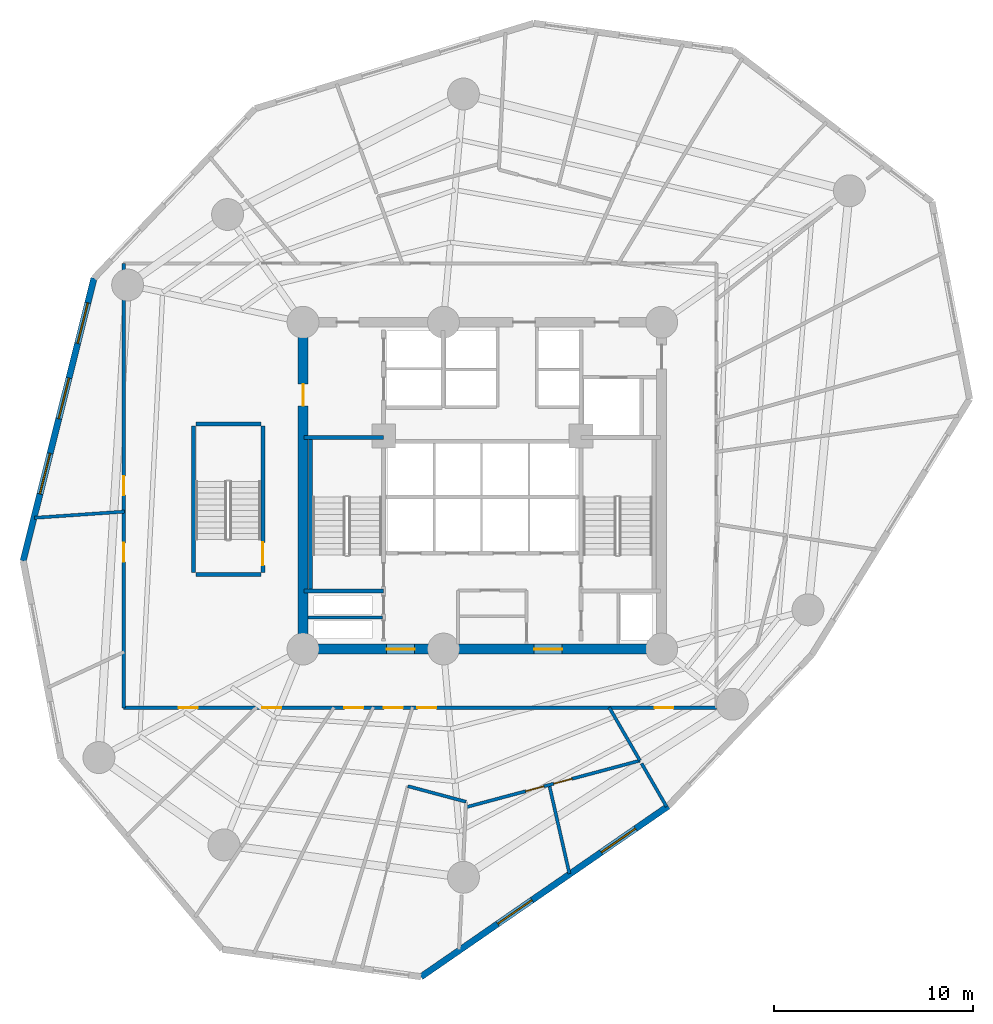
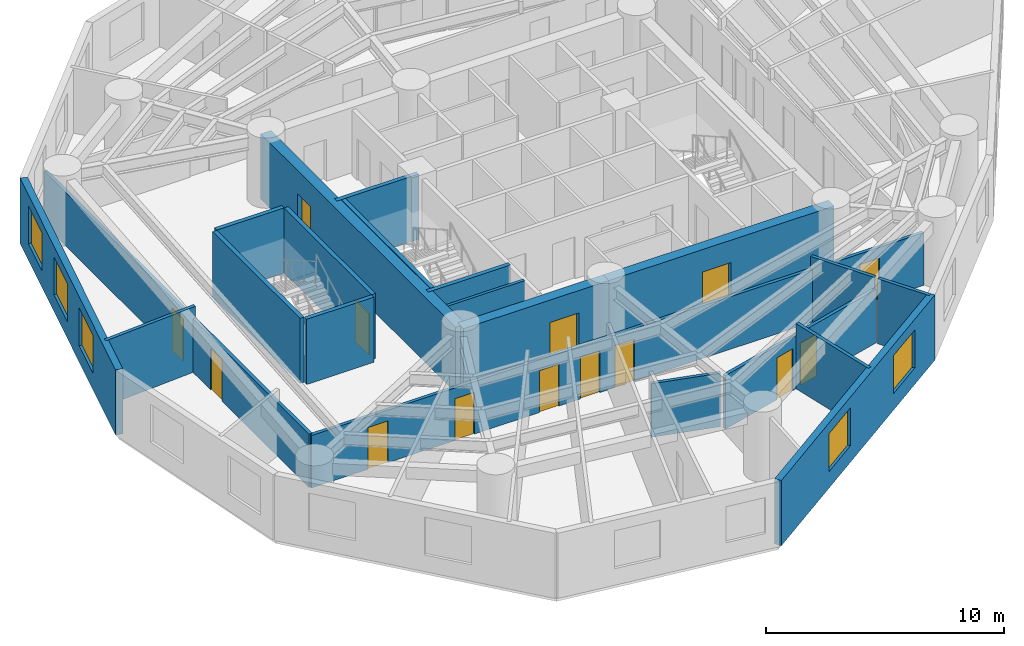
# One storey, part 3 of 8: 21 walls, 14 doors, 5 windows, 19 openings.
"""IFC4 building model written with IfcOpenShell, lengths in metres."""

from ifc_helpers import new_model, si_unit, direction, frame, frame_2d, origin, origin_with_axes, place, context, subcontext, project, spatial, rectangle, extrude, source, transform, mapped, material, layer, layer_set, type_object, element, fill, save


model = new_model("IFC4")

# Units and contexts
model_context = context("Model", 3, precision=1e-05, world=origin(), true_north=direction((0.0, 1.0)))
body_context = subcontext(model_context, "Body", "Model", "MODEL_VIEW")
ifc_project = project(units=[si_unit("LENGTHUNIT", "METRE"), si_unit("AREAUNIT", "SQUARE_METRE"), si_unit("VOLUMEUNIT", "CUBIC_METRE"), si_unit("PLANEANGLEUNIT", "RADIAN"), si_unit("MASSUNIT", "GRAM", prefix="KILO")], contexts=[model_context])

# Site, building, storey
site_placement = place(None, origin())
site = spatial("IfcSite", under=ifc_project, at=site_placement, CompositionType="ELEMENT")
building_placement = place(site_placement, origin())
building = spatial("IfcBuilding", under=site, at=building_placement, Name="Karkom Vertical University and Central Library", CompositionType="ELEMENT")
storey_placement = place(building_placement, frame((0.0, 0.0, 76.89990234375)))
storey = spatial("IfcBuildingStorey", under=building, at=storey_placement, Name="L20", CompositionType="ELEMENT", Elevation=76.89990234375)

# Wall, openings, windows
ifc_material_1 = material(Name="Brick-faced precast concrete C45/55", Category="masonry")
ifc_layer_1 = layer(ifc_material_1, 0.320068359375)
ifc_layer_set_1 = layer_set([ifc_layer_1], Name="Brick-faced precast concrete C45/55")
wall_type_1 = type_object("IfcWallType", Name="ENV-WL-BRK-320", PredefinedType="SOLIDWALL", material=ifc_layer_set_1)
wall_1_placement = place(storey_placement, frame((9.010986328125, 36.91259765625, 0.0), z_axis=(0.0, 0.0, 1.0), x_axis=(-0.243104924843, -0.969999997689, 0.0)))
wall_1 = element("IfcWall", 1, at=wall_1_placement, inside=storey, type_object=wall_type_1, Name="Level 20 Brick-Faced Precast Facade Wall 02", PredefinedType="SOLIDWALL", context=body_context, shape_type="SweptSolid", body=[
    extrude(rectangle(XDim=14.630126953125, YDim=0.320068359375, at=frame_2d((7.31494140625, 0.0))), origin(), (0.0, 0.0, 1.0), 3.35009765625),
])
opening_1_placement = place(wall_1_placement, frame((1.277099609375, 0.0, 0.85009765625)))
opening_1 = element("IfcOpeningElement", 2, at=opening_1_placement, cuts=wall_1, Name="Opening WN-03", PredefinedType="OPENING", context=body_context, shape_type="SweptSolid", body=[
    extrude(rectangle(XDim=2.10009765625, YDim=1.949951171875, at=frame_2d((1.050048828125, 0.97509765625))), frame((0.0, 0.169921875, 0.0), z_axis=(0.0, -1.0, 0.0), x_axis=(1.0, 0.0, 0.0)), (0.0, 0.0, 1.0), 0.340087890625),
])
opening_2_placement = place(wall_1_placement, frame((5.1708984375, 0.0, 0.85009765625)))
opening_2 = element("IfcOpeningElement", 3, at=opening_2_placement, cuts=wall_1, Name="Opening WN-03", PredefinedType="OPENING", context=body_context, shape_type="SweptSolid", body=[
    extrude(rectangle(XDim=2.10009765625, YDim=1.949951171875, at=frame_2d((1.050048828125, 0.97509765625))), frame((0.0, 0.169921875, 0.0), z_axis=(0.0, -1.0, 0.0), x_axis=(1.0, 0.0, 0.0)), (0.0, 0.0, 1.0), 0.340087890625),
])
opening_3_placement = place(wall_1_placement, frame((9.064697265625, 0.0, 0.85009765625)))
opening_3 = element("IfcOpeningElement", 4, at=opening_3_placement, cuts=wall_1, Name="Opening WN-03", PredefinedType="OPENING", context=body_context, shape_type="SweptSolid", body=[
    extrude(rectangle(XDim=2.10009765625, YDim=1.949951171875, at=frame_2d((1.050048828125, 0.97509765625))), frame((0.0, 0.169921875, 0.0), z_axis=(0.0, -1.0, 0.0), x_axis=(1.0, 0.0, 0.0)), (0.0, 0.0, 1.0), 0.340087890625),
])
ifc_material_2 = material(Name="Aluminium thermal-break frame with solar-control IGU", Category="aluminium")
window_type = type_object("IfcWindowType", Name="ENV-WIN-WN-03", PartitioningType="SINGLE_PANEL", PredefinedType="WINDOW", material=ifc_material_2)
shared_shape_1 = source(origin_with_axes(), body_context, "Body", "SweptSolid", [
    extrude(rectangle(XDim=2.10009765625, YDim=1.949951171875, at=frame_2d((1.050048828125, 0.97509765625))), frame((0.0, 0.030029296875, 0.0), z_axis=(0.0, -1.0, 0.0), x_axis=(1.0, 0.0, 0.0)), (0.0, 0.0, 1.0), 0.06005859375),
])
window_1_placement = place(opening_1_placement, origin())
window_1 = element("IfcWindow", 5, at=window_1_placement, inside=storey, type_object=window_type, Name="Level 20 Punched Window 2.1", OverallHeight=1.949951171875, OverallWidth=2.10009765625, PartitioningType="SINGLE_PANEL", PredefinedType="WINDOW", context=body_context, shape_type="MappedRepresentation", body=[
    mapped(shared_shape_1, transform((0.0, 0.0, 0.0), scale=1.0)),
])
fill(opening_1, window_1)
window_2_placement = place(opening_2_placement, origin())
window_2 = element("IfcWindow", 6, at=window_2_placement, inside=storey, type_object=window_type, Name="Level 20 Punched Window 2.2", OverallHeight=1.949951171875, OverallWidth=2.10009765625, PartitioningType="SINGLE_PANEL", PredefinedType="WINDOW", context=body_context, shape_type="MappedRepresentation", body=[
    mapped(shared_shape_1, transform((0.0, 0.0, 0.0), scale=1.0)),
])
fill(opening_2, window_2)
window_3_placement = place(opening_3_placement, origin())
window_3 = element("IfcWindow", 7, at=window_3_placement, inside=storey, type_object=window_type, Name="Level 20 Punched Window 2.3", OverallHeight=1.949951171875, OverallWidth=2.10009765625, PartitioningType="SINGLE_PANEL", PredefinedType="WINDOW", context=body_context, shape_type="MappedRepresentation", body=[
    mapped(shared_shape_1, transform((0.0, 0.0, 0.0), scale=1.0)),
])
fill(opening_3, window_3)

wall_2_placement = place(storey_placement, frame((25.42041015625, 1.85009765625, 0.0), z_axis=(0.0, 0.0, 1.0), x_axis=(0.822842271762, 0.568269826581, 0.0)))
wall_2 = element("IfcWall", 8, at=wall_2_placement, inside=storey, type_object=wall_type_1, Name="Level 20 Brick-Faced Precast Facade Wall 06", PredefinedType="SOLIDWALL", context=body_context, shape_type="SweptSolid", body=[
    extrude(rectangle(XDim=15.075927734375, YDim=0.320068359375, at=frame_2d((7.5380859375, 0.0))), origin(), (0.0, 0.0, 1.0), 3.35009765625),
])
opening_4_placement = place(wall_2_placement, frame((4.676513671875, 0.0, 0.85009765625)))
opening_4 = element("IfcOpeningElement", 9, at=opening_4_placement, cuts=wall_2, Name="Opening WN-03", PredefinedType="OPENING", context=body_context, shape_type="SweptSolid", body=[
    extrude(rectangle(XDim=2.10009765625, YDim=1.949951171875, at=frame_2d((1.050048828125, 0.97509765625))), frame((0.0, 0.169921875, 0.0), z_axis=(0.0, -1.0, 0.0), x_axis=(1.0, 0.0, 0.0)), (0.0, 0.0, 1.0), 0.340087890625),
])
opening_5_placement = place(wall_2_placement, frame((10.991943359375, 0.0, 0.85009765625)))
opening_5 = element("IfcOpeningElement", 10, at=opening_5_placement, cuts=wall_2, Name="Opening WN-03", PredefinedType="OPENING", context=body_context, shape_type="SweptSolid", body=[
    extrude(rectangle(XDim=2.10009765625, YDim=1.949951171875, at=frame_2d((1.050048828125, 0.97509765625))), frame((0.0, 0.169921875, 0.0), z_axis=(0.0, -1.0, 0.0), x_axis=(1.0, 0.0, 0.0)), (0.0, 0.0, 1.0), 0.340087890625),
])
window_4_placement = place(opening_4_placement, origin())
window_4 = element("IfcWindow", 11, at=window_4_placement, inside=storey, type_object=window_type, Name="Level 20 Punched Window 6.1", OverallHeight=1.949951171875, OverallWidth=2.10009765625, PartitioningType="SINGLE_PANEL", PredefinedType="WINDOW", context=body_context, shape_type="MappedRepresentation", body=[
    mapped(shared_shape_1, transform((0.0, 0.0, 0.0), scale=1.0)),
])
fill(opening_4, window_4)
window_5_placement = place(opening_5_placement, origin())
window_5 = element("IfcWindow", 12, at=window_5_placement, inside=storey, type_object=window_type, Name="Level 20 Punched Window 6.2", OverallHeight=1.949951171875, OverallWidth=2.10009765625, PartitioningType="SINGLE_PANEL", PredefinedType="WINDOW", context=body_context, shape_type="MappedRepresentation", body=[
    mapped(shared_shape_1, transform((0.0, 0.0, 0.0), scale=1.0)),
])
fill(opening_5, window_5)

# Wall, openings, doors
ifc_material_3 = material(Name="Insulated metal-stud drywall 160mm", Category="gypsum")
ifc_layer_2 = layer(ifc_material_3, 0.159912109375)
ifc_layer_set_2 = layer_set([ifc_layer_2], Name="Insulated metal-stud drywall 160mm")
wall_type_2 = type_object("IfcWallType", Name="INT-WL-COR-160", PredefinedType="PARTITIONING", material=ifc_layer_set_2)
wall_3_placement = place(storey_placement, frame((40.25, 15.35009765625, 0.0), z_axis=(0.0, 0.0, 1.0), x_axis=(-1.0, 0.0, 0.0)))
wall_3 = element("IfcWall", 13, at=wall_3_placement, inside=storey, type_object=wall_type_2, Name="Level 20 Interior Partition Wall L20-CORW-CW-001", PredefinedType="PARTITIONING", context=body_context, shape_type="SweptSolid", body=[
    extrude(rectangle(XDim=29.75, YDim=0.159912109375, at=frame_2d((14.875, 0.0))), origin(), (0.0, 0.0, 1.0), 2.7001953125),
])
opening_6_placement = place(wall_3_placement, frame((26.037109375, 0.0, 0.0)))
opening_6 = element("IfcOpeningElement", 14, at=opening_6_placement, cuts=wall_3, Name="Opening FD-RM2", PredefinedType="OPENING", context=body_context, shape_type="SweptSolid", body=[
    extrude(rectangle(XDim=0.9599609375, YDim=2.14990234375, at=frame_2d((0.47998046875, 1.074951171875))), frame((0.0, 0.08984375, 0.0), z_axis=(0.0, -1.0, 0.0), x_axis=(1.0, 0.0, 0.0)), (0.0, 0.0, 1.0), 0.179931640625),
])
opening_7_placement = place(wall_3_placement, frame((21.83740234375, 0.0, 0.0)))
opening_7 = element("IfcOpeningElement", 15, at=opening_7_placement, cuts=wall_3, Name="Opening D-RM1", PredefinedType="OPENING", context=body_context, shape_type="SweptSolid", body=[
    extrude(rectangle(XDim=0.949951171875, YDim=2.14990234375, at=frame_2d((0.47509765625, 1.074951171875))), frame((0.0, 0.08984375, 0.0), z_axis=(0.0, -1.0, 0.0), x_axis=(1.0, 0.0, 0.0)), (0.0, 0.0, 1.0), 0.179931640625),
])
opening_8_placement = place(wall_3_placement, frame((17.72119140625, 0.0, 0.0)))
opening_8 = element("IfcOpeningElement", 16, at=opening_8_placement, cuts=wall_3, Name="Opening D-RM1", PredefinedType="OPENING", context=body_context, shape_type="SweptSolid", body=[
    extrude(rectangle(XDim=0.949951171875, YDim=2.14990234375, at=frame_2d((0.47509765625, 1.074951171875))), frame((0.0, 0.08984375, 0.0), z_axis=(0.0, -1.0, 0.0), x_axis=(1.0, 0.0, 0.0)), (0.0, 0.0, 1.0), 0.179931640625),
])
opening_9_placement = place(wall_3_placement, frame((15.73779296875, 0.0, 0.0)))
opening_9 = element("IfcOpeningElement", 17, at=opening_9_placement, cuts=wall_3, Name="Opening D-RM1", PredefinedType="OPENING", context=body_context, shape_type="SweptSolid", body=[
    extrude(rectangle(XDim=0.949951171875, YDim=2.14990234375, at=frame_2d((0.47509765625, 1.074951171875))), frame((0.0, 0.08984375, 0.0), z_axis=(0.0, -1.0, 0.0), x_axis=(1.0, 0.0, 0.0)), (0.0, 0.0, 1.0), 0.179931640625),
])
opening_10_placement = place(wall_3_placement, frame((14.06005859375, 0.0, 0.0)))
opening_10 = element("IfcOpeningElement", 18, at=opening_10_placement, cuts=wall_3, Name="Opening D-RM1", PredefinedType="OPENING", context=body_context, shape_type="SweptSolid", body=[
    extrude(rectangle(XDim=0.949951171875, YDim=2.14990234375, at=frame_2d((0.47509765625, 1.074951171875))), frame((0.0, 0.08984375, 0.0), z_axis=(0.0, -1.0, 0.0), x_axis=(1.0, 0.0, 0.0)), (0.0, 0.0, 1.0), 0.179931640625),
])
opening_11_placement = place(wall_3_placement, frame((2.160400390625, 0.0, 0.0)))
opening_11 = element("IfcOpeningElement", 19, at=opening_11_placement, cuts=wall_3, Name="Opening D-RM1", PredefinedType="OPENING", context=body_context, shape_type="SweptSolid", body=[
    extrude(rectangle(XDim=0.949951171875, YDim=2.14990234375, at=frame_2d((0.47509765625, 1.074951171875))), frame((0.0, 0.08984375, 0.0), z_axis=(0.0, -1.0, 0.0), x_axis=(1.0, 0.0, 0.0)), (0.0, 0.0, 1.0), 0.179931640625),
])
ifc_material_4 = material(Name="Fire-rated oak veneer door", Category="wood")
door_type_1 = type_object("IfcDoorType", Name="INT-DR-FRM2", OperationType="NOTDEFINED", PredefinedType="DOOR", material=ifc_material_4)
shared_shape_2 = source(origin_with_axes(), body_context, "Body", "SweptSolid", [
    extrude(rectangle(XDim=0.9599609375, YDim=2.14990234375, at=frame_2d((0.47998046875, 1.074951171875))), frame((0.0, 0.02490234375, 0.0), z_axis=(0.0, -1.0, 0.0), x_axis=(1.0, 0.0, 0.0)), (0.0, 0.0, 1.0), 0.050048828125),
])
door_1_placement = place(opening_6_placement, origin())
door_1 = element("IfcDoor", 20, at=door_1_placement, inside=storey, type_object=door_type_1, Name="Level 20 Room Entry Door 010", OperationType="SINGLE_SWING_LEFT", OverallHeight=2.14990234375, OverallWidth=0.9599609375, PredefinedType="DOOR", context=body_context, shape_type="MappedRepresentation", body=[
    mapped(shared_shape_2, transform((0.0, 0.0, 0.0), scale=1.0)),
])
fill(opening_6, door_1)
ifc_material_5 = material(Name="Solid-core oak veneer door", Category="wood")
door_type_2 = type_object("IfcDoorType", Name="INT-DR-RM1", OperationType="NOTDEFINED", PredefinedType="DOOR", material=ifc_material_5)
shared_shape_3 = source(origin_with_axes(), body_context, "Body", "SweptSolid", [
    extrude(rectangle(XDim=0.949951171875, YDim=2.14990234375, at=frame_2d((0.47509765625, 1.074951171875))), frame((0.0, 0.02490234375, 0.0), z_axis=(0.0, -1.0, 0.0), x_axis=(1.0, 0.0, 0.0)), (0.0, 0.0, 1.0), 0.050048828125),
])
door_2_placement = place(opening_7_placement, origin())
door_2 = element("IfcDoor", 21, at=door_2_placement, inside=storey, type_object=door_type_2, Name="Level 20 Room Entry Door 020", OperationType="SINGLE_SWING_RIGHT", OverallHeight=2.14990234375, OverallWidth=0.949951171875, PredefinedType="DOOR", context=body_context, shape_type="MappedRepresentation", body=[
    mapped(shared_shape_3, transform((0.0, 0.0, 0.0), scale=1.0)),
])
fill(opening_7, door_2)
door_3_placement = place(opening_8_placement, origin())
door_3 = element("IfcDoor", 22, at=door_3_placement, inside=storey, type_object=door_type_2, Name="Level 20 Room Entry Door 030", OperationType="SINGLE_SWING_LEFT", OverallHeight=2.14990234375, OverallWidth=0.949951171875, PredefinedType="DOOR", context=body_context, shape_type="MappedRepresentation", body=[
    mapped(shared_shape_3, transform((0.0, 0.0, 0.0), scale=1.0)),
])
fill(opening_8, door_3)
door_4_placement = place(opening_9_placement, origin())
door_4 = element("IfcDoor", 23, at=door_4_placement, inside=storey, type_object=door_type_2, Name="Level 20 Room Entry Door 040", OperationType="SINGLE_SWING_RIGHT", OverallHeight=2.14990234375, OverallWidth=0.949951171875, PredefinedType="DOOR", context=body_context, shape_type="MappedRepresentation", body=[
    mapped(shared_shape_3, transform((0.0, 0.0, 0.0), scale=1.0)),
])
fill(opening_9, door_4)
door_5_placement = place(opening_10_placement, origin())
door_5 = element("IfcDoor", 24, at=door_5_placement, inside=storey, type_object=door_type_2, Name="Level 20 Room Entry Door 060", OperationType="SINGLE_SWING_LEFT", OverallHeight=2.14990234375, OverallWidth=0.949951171875, PredefinedType="DOOR", context=body_context, shape_type="MappedRepresentation", body=[
    mapped(shared_shape_3, transform((0.0, 0.0, 0.0), scale=1.0)),
])
fill(opening_10, door_5)
door_6_placement = place(opening_11_placement, origin())
door_6 = element("IfcDoor", 25, at=door_6_placement, inside=storey, type_object=door_type_2, Name="Level 20 Room Entry Door 090", OperationType="SINGLE_SWING_RIGHT", OverallHeight=2.14990234375, OverallWidth=0.949951171875, PredefinedType="DOOR", context=body_context, shape_type="MappedRepresentation", body=[
    mapped(shared_shape_3, transform((0.0, 0.0, 0.0), scale=1.0)),
])
fill(opening_11, door_6)

wall_4_placement = place(storey_placement, frame((10.5, 15.35009765625, 0.0), z_axis=(0.0, 0.0, 1.0), x_axis=(0.0, 1.0, 0.0)))
wall_4 = element("IfcWall", 26, at=wall_4_placement, inside=storey, type_object=wall_type_2, Name="Level 20 Interior Partition Wall L20-CORW-CW-002", PredefinedType="PARTITIONING", context=body_context, shape_type="SweptSolid", body=[
    extrude(rectangle(XDim=22.2998046875, YDim=0.159912109375, at=frame_2d((11.14990234375, 0.0))), origin(), (0.0, 0.0, 1.0), 2.75),
])
opening_12_placement = place(wall_4_placement, frame((7.330078125, 0.0, 0.0)))
opening_12 = element("IfcOpeningElement", 27, at=opening_12_placement, cuts=wall_4, Name="Opening D-RM1", PredefinedType="OPENING", context=body_context, shape_type="SweptSolid", body=[
    extrude(rectangle(XDim=0.949951171875, YDim=2.14990234375, at=frame_2d((0.47509765625, 1.074951171875))), frame((0.0, 0.08984375, 0.0), z_axis=(0.0, -1.0, 0.0), x_axis=(1.0, 0.0, 0.0)), (0.0, 0.0, 1.0), 0.179931640625),
])
opening_13_placement = place(wall_4_placement, frame((10.675048828125, 0.0, 0.0)))
opening_13 = element("IfcOpeningElement", 28, at=opening_13_placement, cuts=wall_4, Name="Opening D-RM1", PredefinedType="OPENING", context=body_context, shape_type="SweptSolid", body=[
    extrude(rectangle(XDim=0.949951171875, YDim=2.14990234375, at=frame_2d((0.47509765625, 1.074951171875))), frame((0.0, 0.08984375, 0.0), z_axis=(0.0, -1.0, 0.0), x_axis=(1.0, 0.0, 0.0)), (0.0, 0.0, 1.0), 0.179931640625),
])
door_7_placement = place(opening_12_placement, origin())
door_7 = element("IfcDoor", 29, at=door_7_placement, inside=storey, type_object=door_type_2, Name="Level 20 Room Entry Door 000", OperationType="SINGLE_SWING_RIGHT", OverallHeight=2.14990234375, OverallWidth=0.949951171875, PredefinedType="DOOR", context=body_context, shape_type="MappedRepresentation", body=[
    mapped(shared_shape_3, transform((0.0, 0.0, 0.0), scale=1.0)),
])
fill(opening_12, door_7)
door_8_placement = place(opening_13_placement, origin())
door_8 = element("IfcDoor", 30, at=door_8_placement, inside=storey, type_object=door_type_2, Name="Level 20 Room Entry Door 250", OperationType="SINGLE_SWING_RIGHT", OverallHeight=2.14990234375, OverallWidth=0.949951171875, PredefinedType="DOOR", context=body_context, shape_type="MappedRepresentation", body=[
    mapped(shared_shape_3, transform((0.0, 0.0, 0.0), scale=1.0)),
])
fill(opening_13, door_8)

wall_5_placement = place(storey_placement, frame((36.4091796875, 12.7021484375, 0.0), z_axis=(0.0, 0.0, 1.0), x_axis=(-0.965923911336, -0.258826191699, 0.0)))
wall_5 = element("IfcWall", 31, at=wall_5_placement, inside=storey, type_object=wall_type_2, Name="Level 20 Interior Partition Wall L20-PW-012", PredefinedType="PARTITIONING", context=body_context, shape_type="SweptSolid", body=[
    extrude(rectangle(XDim=8.983642578125, YDim=0.159912109375, at=frame_2d((4.49169921875, 0.0))), origin(), (0.0, 0.0, 1.0), 2.75),
])
opening_14_placement = place(wall_5_placement, frame((4.9873046875, 0.0, 0.0)))
opening_14 = element("IfcOpeningElement", 32, at=opening_14_placement, cuts=wall_5, Name="Opening D-RM1", PredefinedType="OPENING", context=body_context, shape_type="SweptSolid", body=[
    extrude(rectangle(XDim=0.949951171875, YDim=2.14990234375, at=frame_2d((0.47509765625, 1.074951171875))), frame((0.0, 0.08984375, 0.0), z_axis=(0.0, -1.0, 0.0), x_axis=(1.0, 0.0, 0.0)), (0.0, 0.0, 1.0), 0.179931640625),
])
opening_15_placement = place(wall_5_placement, frame((3.529052734375, 0.0, 0.0)))
opening_15 = element("IfcOpeningElement", 33, at=opening_15_placement, cuts=wall_5, Name="Opening D-RM1", PredefinedType="OPENING", context=body_context, shape_type="SweptSolid", body=[
    extrude(rectangle(XDim=0.949951171875, YDim=2.14990234375, at=frame_2d((0.47509765625, 1.074951171875))), frame((0.0, 0.08984375, 0.0), z_axis=(0.0, -1.0, 0.0), x_axis=(1.0, 0.0, 0.0)), (0.0, 0.0, 1.0), 0.179931640625),
])
door_9_placement = place(opening_14_placement, origin())
door_9 = element("IfcDoor", 34, at=door_9_placement, inside=storey, type_object=door_type_2, Name="Level 20 Room Entry Door 070", OperationType="SINGLE_SWING_RIGHT", OverallHeight=2.14990234375, OverallWidth=0.949951171875, PredefinedType="DOOR", context=body_context, shape_type="MappedRepresentation", body=[
    mapped(shared_shape_3, transform((0.0, 0.0, 0.0), scale=1.0)),
])
fill(opening_14, door_9)
door_10_placement = place(opening_15_placement, origin())
door_10 = element("IfcDoor", 35, at=door_10_placement, inside=storey, type_object=door_type_2, Name="Level 20 Room Entry Door 080", OperationType="SINGLE_SWING_LEFT", OverallHeight=2.14990234375, OverallWidth=0.949951171875, PredefinedType="DOOR", context=body_context, shape_type="MappedRepresentation", body=[
    mapped(shared_shape_3, transform((0.0, 0.0, 0.0), scale=1.0)),
])
fill(opening_15, door_10)

# Walls
wall_6_placement = place(storey_placement, frame((6.025634765625, 24.885009765625, 0.0), z_axis=(0.0, 0.0, 1.0), x_axis=(0.997618067717, 0.068979641674, 0.0)))
element("IfcWall", 36, at=wall_6_placement, inside=storey, type_object=wall_type_2, Name="Level 20 Interior Partition Wall L20-PW-002", PredefinedType="PARTITIONING", context=body_context, shape_type="SweptSolid", body=[
    extrude(rectangle(XDim=4.5302734375, YDim=0.159912109375, at=frame_2d((2.26513671875, 0.0))), origin(), (0.0, 0.0, 1.0), 3.35009765625),
])
wall_7_placement = place(storey_placement, frame((31.87548828125, 11.397216796875, 0.0), z_axis=(0.0, 0.0, 1.0), x_axis=(0.221884940949, -0.975072855216, 0.0)))
element("IfcWall", 37, at=wall_7_placement, inside=storey, type_object=wall_type_2, Name="Level 20 Interior Partition Wall L20-PW-014", PredefinedType="PARTITIONING", context=body_context, shape_type="SweptSolid", body=[
    extrude(rectangle(XDim=4.479248046875, YDim=0.159912109375, at=frame_2d((2.23974609375, 0.0))), origin(), (0.0, 0.0, 1.0), 3.35009765625),
])
wall_8_placement = place(storey_placement, frame((34.863037109375, 15.3759765625, 0.0), z_axis=(0.0, 0.0, 1.0), x_axis=(0.500584406254, -0.865687733664, 0.0)))
element("IfcWall", 38, at=wall_8_placement, inside=storey, type_object=wall_type_2, Name="Level 20 Interior Partition Wall L20-PW-013", PredefinedType="PARTITIONING", context=body_context, shape_type="SweptSolid", body=[
    extrude(rectangle(XDim=3.088623046875, YDim=0.159912109375, at=frame_2d((1.54443359375, 0.0))), origin(), (0.0, 0.0, 1.0), 3.35009765625),
])
wall_9_placement = place(storey_placement, frame((24.7626953125, 11.418701171875, 0.0), z_axis=(0.0, 0.0, 1.0), x_axis=(0.965909841148, -0.258878695094, 0.0)))
element("IfcWall", 39, at=wall_9_placement, inside=storey, type_object=wall_type_2, Name="Level 20 Interior Partition Wall L20-PW-009", PredefinedType="PARTITIONING", context=body_context, shape_type="SweptSolid", body=[
    extrude(rectangle(XDim=3.0234375, YDim=0.159912109375, at=frame_2d((1.51171875, 0.0))), origin(), (0.0, 0.0, 1.0), 2.75),
])
wall_10_placement = place(storey_placement, frame((36.4921875, 12.55859375, 0.0), z_axis=(0.0, 0.0, 1.0), x_axis=(0.500555501358, -0.865704447291, 0.0)))
element("IfcWall", 40, at=wall_10_placement, inside=storey, type_object=wall_type_2, Name="Level 20 Interior Partition Wall L20-PW-015", PredefinedType="PARTITIONING", context=body_context, shape_type="SweptSolid", body=[
    extrude(rectangle(XDim=2.502685546875, YDim=0.159912109375, at=frame_2d((1.25146484375, 0.0))), origin(), (0.0, 0.0, 1.0), 3.35009765625),
])
ifc_material_6 = material(Name="Metal-stud gypsum partition 140mm", Category="gypsum")
ifc_layer_3 = layer(ifc_material_6, 0.139892578125)
ifc_layer_set_3 = layer_set([ifc_layer_3], Name="Metal-stud gypsum partition 140mm")
wall_type_3 = type_object("IfcWallType", Name="INT-WL-SUB-140H", PredefinedType="PARTITIONING", material=ifc_layer_set_3)
wall_11_placement = place(storey_placement, frame((19.757080078125, 19.889892578125, 0.0), z_axis=(0.0, 0.0, 1.0), x_axis=(1.0, 0.0, 0.0)))
element("IfcWall", 41, at=wall_11_placement, inside=storey, type_object=wall_type_3, Name="Level 20 Interior Partition Wall L20-CW-RIS-W", PredefinedType="PARTITIONING", context=body_context, shape_type="SweptSolid", body=[
    extrude(rectangle(XDim=3.7392578125, YDim=0.139892578125, at=frame_2d((1.86962890625, 0.0))), origin(), (0.0, 0.0, 1.0), 3.35009765625),
])

# Wall, opening, door
ifc_material_7 = material(Name="Concrete C50/60", Category="concrete")
ifc_layer_4 = layer(ifc_material_7, 0.5)
ifc_layer_set_4 = layer_set([ifc_layer_4], Name="Concrete C50/60")
wall_type_4 = type_object("IfcWallType", Name="STR-WL-CW-500", PredefinedType="SHEAR", material=ifc_layer_set_4)
wall_12_placement = place(storey_placement, frame((19.5, 18.300048828125, 0.0), z_axis=(0.0, 0.0, 1.0), x_axis=(1.0, 0.0, 0.0)))
wall_12 = element("IfcWall", 42, at=wall_12_placement, inside=storey, type_object=wall_type_4, Name="Level 20 Central Core Shear Wall SW1", PredefinedType="SHEAR", context=body_context, shape_type="SweptSolid", body=[
    extrude(rectangle(XDim=7.050048828125, YDim=0.5, at=frame_2d((3.52490234375, 0.0))), origin(), (0.0, 0.0, 1.0), 3.35009765625),
])
opening_16_placement = place(wall_12_placement, frame((4.199951171875, 0.0, 0.0)))
opening_16 = element("IfcOpeningElement", 43, at=opening_16_placement, cuts=wall_12, Name="Opening FD-CLB", PredefinedType="OPENING", context=body_context, shape_type="SweptSolid", body=[
    extrude(rectangle(XDim=1.39990234375, YDim=2.199951171875, at=frame_2d((0.699951171875, 1.10009765625))), frame((0.0, 0.260009765625, 0.0), z_axis=(0.0, -1.0, 0.0), x_axis=(1.0, 0.0, 0.0)), (0.0, 0.0, 1.0), 0.52001953125),
])
ifc_material_8 = material(Name="Painted steel fire door", Category="steel")
door_type_3 = type_object("IfcDoorType", Name="INT-DR-CLB", OperationType="DOUBLE_DOOR_SINGLE_SWING", PredefinedType="DOOR", material=ifc_material_8)
shared_shape_4 = source(origin_with_axes(), body_context, "Body", "SweptSolid", [
    extrude(rectangle(XDim=1.39990234375, YDim=2.199951171875, at=frame_2d((0.699951171875, 1.10009765625))), frame((0.0, 0.02490234375, 0.0), z_axis=(0.0, -1.0, 0.0), x_axis=(1.0, 0.0, 0.0)), (0.0, 0.0, 1.0), 0.050048828125),
])
door_11_placement = place(opening_16_placement, origin())
door_11 = element("IfcDoor", 44, at=door_11_placement, inside=storey, type_object=door_type_3, Name="Level 20 South Core Lobby West Exit Door", OperationType="DOUBLE_DOOR_SINGLE_SWING", OverallHeight=2.199951171875, OverallWidth=1.39990234375, PredefinedType="DOOR", context=body_context, shape_type="MappedRepresentation", body=[
    mapped(shared_shape_4, transform((0.0, 0.0, 0.0), scale=1.0)),
])
fill(opening_16, door_11)

wall_13_placement = place(storey_placement, frame((26.550048828125, 18.300048828125, 0.0), z_axis=(0.0, 0.0, 1.0), x_axis=(1.0, 0.0, 0.0)))
wall_13 = element("IfcWall", 45, at=wall_13_placement, inside=storey, type_object=wall_type_4, Name="Level 20 Central Core Shear Wall SW2", PredefinedType="SHEAR", context=body_context, shape_type="SweptSolid", body=[
    extrude(rectangle(XDim=10.949951171875, YDim=0.5, at=frame_2d((5.47509765625, 0.0))), origin(), (0.0, 0.0, 1.0), 3.35009765625),
])
opening_17_placement = place(wall_13_placement, frame((4.550048828125, 0.0, 0.0)))
opening_17 = element("IfcOpeningElement", 46, at=opening_17_placement, cuts=wall_13, Name="Opening FD-CLB", PredefinedType="OPENING", context=body_context, shape_type="SweptSolid", body=[
    extrude(rectangle(XDim=1.39990234375, YDim=2.199951171875, at=frame_2d((0.699951171875, 1.10009765625))), frame((0.0, 0.260009765625, 0.0), z_axis=(0.0, -1.0, 0.0), x_axis=(1.0, 0.0, 0.0)), (0.0, 0.0, 1.0), 0.52001953125),
])
door_12_placement = place(opening_17_placement, origin())
door_12 = element("IfcDoor", 47, at=door_12_placement, inside=storey, type_object=door_type_3, Name="Level 20 South Core Lobby East Exit Door", OperationType="DOUBLE_DOOR_SINGLE_SWING", OverallHeight=2.199951171875, OverallWidth=1.39990234375, PredefinedType="DOOR", context=body_context, shape_type="MappedRepresentation", body=[
    mapped(shared_shape_4, transform((0.0, 0.0, 0.0), scale=1.0)),
])
fill(opening_17, door_12)

wall_14_placement = place(storey_placement, frame((19.5, 34.699951171875, 0.0), z_axis=(0.0, 0.0, 1.0), x_axis=(0.0, -1.0, 0.0)))
wall_14 = element("IfcWall", 48, at=wall_14_placement, inside=storey, type_object=wall_type_4, Name="Level 20 Central Core Shear Wall WW", PredefinedType="SHEAR", context=body_context, shape_type="SweptSolid", body=[
    extrude(rectangle(XDim=16.39990234375, YDim=0.5, at=frame_2d((8.199951171875, 0.0))), origin(), (0.0, 0.0, 1.0), 3.35009765625),
])
opening_18_placement = place(wall_14_placement, frame((3.10009765625, 0.0, 0.0)))
opening_18 = element("IfcOpeningElement", 49, at=opening_18_placement, cuts=wall_14, Name="Opening FD-FFL", PredefinedType="OPENING", context=body_context, shape_type="SweptSolid", body=[
    extrude(rectangle(XDim=1.10009765625, YDim=2.14990234375, at=frame_2d((0.550048828125, 1.074951171875))), frame((0.0, 0.260009765625, 0.0), z_axis=(0.0, -1.0, 0.0), x_axis=(1.0, 0.0, 0.0)), (0.0, 0.0, 1.0), 0.52001953125),
])
ifc_material_9 = material(Name="Painted steel smoke-seal fire door", Category="steel")
door_type_4 = type_object("IfcDoorType", Name="INT-DR-FFL", OperationType="NOTDEFINED", PredefinedType="DOOR", material=ifc_material_9)
shared_shape_5 = source(origin_with_axes(), body_context, "Body", "SweptSolid", [
    extrude(rectangle(XDim=1.10009765625, YDim=2.14990234375, at=frame_2d((0.550048828125, 1.074951171875))), frame((0.0, 0.02490234375, 0.0), z_axis=(0.0, -1.0, 0.0), x_axis=(1.0, 0.0, 0.0)), (0.0, 0.0, 1.0), 0.050048828125),
])
door_13_placement = place(opening_18_placement, origin())
door_13 = element("IfcDoor", 50, at=door_13_placement, inside=storey, type_object=door_type_4, Name="Level 20 West Corridor Firefighting Lobby Door", OperationType="SINGLE_SWING_RIGHT", OverallHeight=2.14990234375, OverallWidth=1.10009765625, PredefinedType="DOOR", context=body_context, shape_type="MappedRepresentation", body=[
    mapped(shared_shape_5, transform((0.0, 0.0, 0.0), scale=1.0)),
])
fill(opening_18, door_13)

# Walls
ifc_material_10 = material(Name="Concrete C45/55", Category="concrete")
ifc_layer_5 = layer(ifc_material_10, 0.199951171875)
ifc_layer_set_5 = layer_set([ifc_layer_5], Name="Concrete C45/55")
wall_type_5 = type_object("IfcWallType", Name="STR-WL-ST-200", PredefinedType="SHEAR", material=ifc_layer_set_5)
wall_15_placement = place(storey_placement, frame((19.875, 21.320068359375, 0.0), z_axis=(0.0, 0.0, 1.0), x_axis=(0.0, 1.0, 0.0)))
element("IfcWall", 51, at=wall_15_placement, inside=storey, type_object=wall_type_5, Name="Level 20 Core Shaft Wall L20-CW-ST1-W", PredefinedType="SHEAR", context=body_context, shape_type="SweptSolid", body=[
    extrude(rectangle(XDim=7.5, YDim=0.199951171875, at=frame_2d((3.75, 0.0))), origin(), (0.0, 0.0, 1.0), 3.35009765625),
])
wall_16_placement = place(storey_placement, frame((14.014892578125, 22.14990234375, 0.0), z_axis=(0.0, 0.0, 1.0), x_axis=(0.0, 1.0, 0.0)))
element("IfcWall", 52, at=wall_16_placement, inside=storey, type_object=wall_type_5, Name="Level 20 Core Shaft Wall L20-W-ST3-W", PredefinedType="SHEAR", context=body_context, shape_type="SweptSolid", body=[
    extrude(rectangle(XDim=7.35009765625, YDim=0.199951171875, at=frame_2d((3.675048828125, 0.0))), origin(), (0.0, 0.0, 1.0), 3.35009765625),
])

# Wall, opening, door
wall_17_placement = place(storey_placement, frame((17.485107421875, 22.14990234375, 0.0), z_axis=(0.0, 0.0, 1.0), x_axis=(0.0, 1.0, 0.0)))
wall_17 = element("IfcWall", 53, at=wall_17_placement, inside=storey, type_object=wall_type_5, Name="Level 20 Core Shaft Wall L20-W-ST3-E", PredefinedType="SHEAR", context=body_context, shape_type="SweptSolid", body=[
    extrude(rectangle(XDim=7.35009765625, YDim=0.199951171875, at=frame_2d((3.675048828125, 0.0))), origin(), (0.0, 0.0, 1.0), 3.35009765625),
])
opening_19_placement = place(wall_17_placement, frame((0.35009765625, 0.0, 0.0)))
opening_19 = element("IfcOpeningElement", 54, at=opening_19_placement, cuts=wall_17, Name="Opening FD-ST1", PredefinedType="OPENING", context=body_context, shape_type="SweptSolid", body=[
    extrude(rectangle(XDim=1.14990234375, YDim=2.14990234375, at=frame_2d((0.574951171875, 1.074951171875))), frame((0.0, 0.10986328125, 0.0), z_axis=(0.0, -1.0, 0.0), x_axis=(1.0, 0.0, 0.0)), (0.0, 0.0, 1.0), 0.219970703125),
])
ifc_material_11 = material(Name="Painted steel acoustic fire door", Category="steel")
door_type_5 = type_object("IfcDoorType", Name="INT-DR-ST1", OperationType="NOTDEFINED", PredefinedType="DOOR", material=ifc_material_11)
shared_shape_6 = source(origin_with_axes(), body_context, "Body", "SweptSolid", [
    extrude(rectangle(XDim=1.14990234375, YDim=2.14990234375, at=frame_2d((0.574951171875, 1.074951171875))), frame((0.0, 0.02490234375, 0.0), z_axis=(0.0, -1.0, 0.0), x_axis=(1.0, 0.0, 0.0)), (0.0, 0.0, 1.0), 0.050048828125),
])
door_14_placement = place(opening_19_placement, origin())
door_14 = element("IfcDoor", 55, at=door_14_placement, inside=storey, type_object=door_type_5, Name="Level 20 Stair ST-3 Fire Door", OperationType="SINGLE_SWING_LEFT", OverallHeight=2.14990234375, OverallWidth=1.14990234375, PredefinedType="DOOR", context=body_context, shape_type="MappedRepresentation", body=[
    mapped(shared_shape_6, transform((0.0, 0.0, 0.0), scale=1.0)),
])
fill(opening_19, door_14)

# Walls
for number, where, z_axis, x_axis, name in (
    (56, (19.550048828125, 21.215087890625, 0.0), (0.0, 0.0, 1.0), (1.0, 0.0, 0.0), "Level 20 Core Shaft Wall L20-CW-ST1-S"),
    (57, (19.550048828125, 28.925048828125, 0.0), (0.0, 0.0, 1.0), (1.0, 0.0, 0.0), "Level 20 Core Shaft Wall L20-CW-ST1-N"),
):
    element("IfcWall", number, at=place(storey_placement, frame(where, z_axis=z_axis, x_axis=x_axis)), inside=storey, type_object=wall_type_5, Name=name, PredefinedType="SHEAR", context=body_context, shape_type="SweptSolid", body=[
        extrude(rectangle(XDim=3.994873046875, YDim=0.199951171875, at=frame_2d((1.99755859375, 0.0))), origin(), (0.0, 0.0, 1.0), 3.35009765625),
    ])
for number, where, z_axis, x_axis, name in (
    (58, (14.1201171875, 22.044921875, 0.0), (0.0, 0.0, 1.0), (1.0, 0.0, 0.0), "Level 20 Core Shaft Wall L20-W-ST3-S"),
    (59, (14.1201171875, 29.60498046875, 0.0), (0.0, 0.0, 1.0), (1.0, 0.0, 0.0), "Level 20 Core Shaft Wall L20-W-ST3-N"),
):
    element("IfcWall", number, at=place(storey_placement, frame(where, z_axis=z_axis, x_axis=x_axis)), inside=storey, type_object=wall_type_5, Name=name, PredefinedType="SHEAR", context=body_context, shape_type="SweptSolid", body=[
        extrude(rectangle(XDim=3.259765625, YDim=0.199951171875, at=frame_2d((1.6298828125, 0.0))), origin(), (0.0, 0.0, 1.0), 3.35009765625),
    ])

save(model, "model.ifc")
